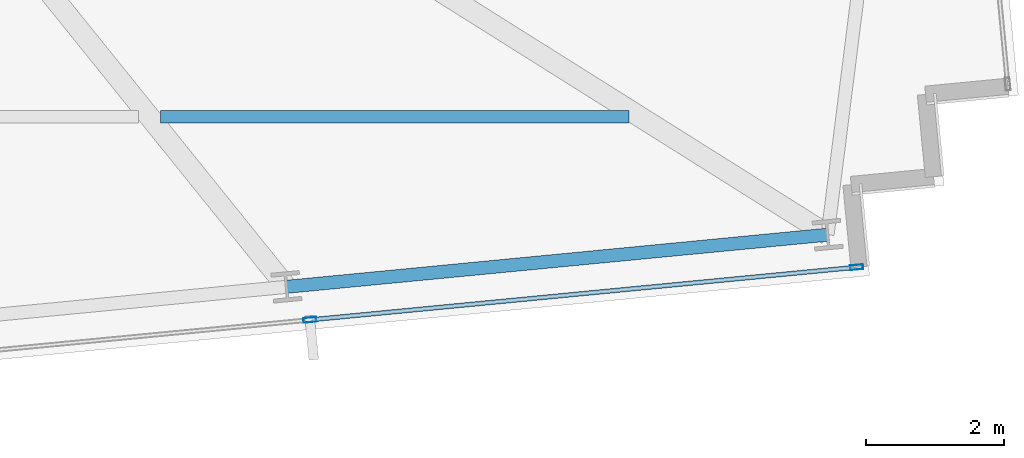
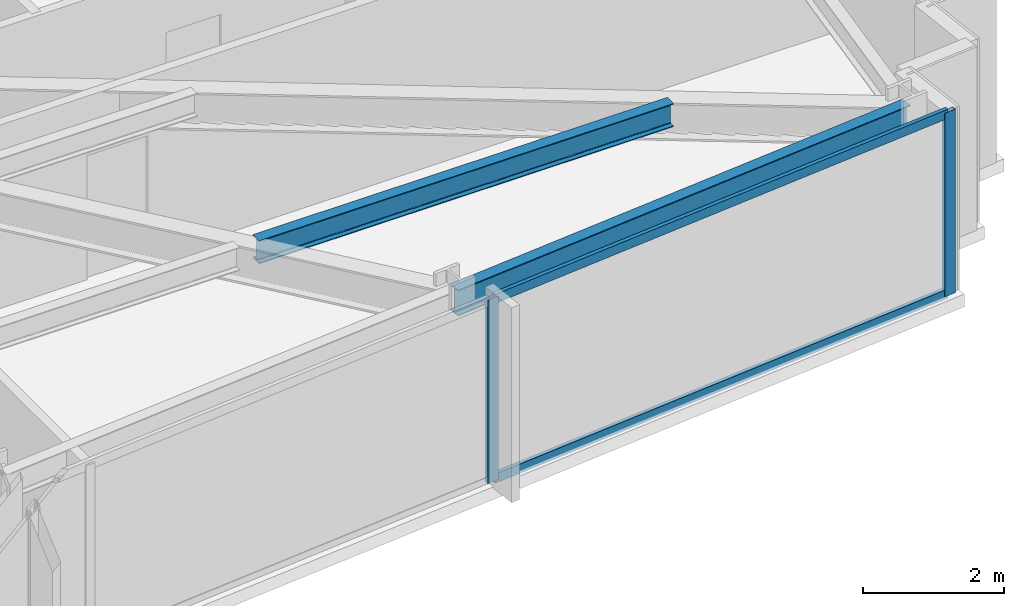
# One storey, part 12 of 33: 4 members, 2 beams, 1 element without a shape of its own.
"""IFC4 building model written with IfcOpenShell, lengths in metres."""

import ifcopenshell
import ifcopenshell.guid

model = None  # the IFC model being written
_history = None  # IfcOwnerHistory: only IFC2X3 demands one
_inside = {}  # id of a spatial element -> (the spatial element, [elements in it])
_under = {}  # id of a project, library or spatial element -> (it, [spatial elements below it])
_declared = {}  # id of a project -> (the project, [libraries it declares])
_typed = {}  # id of a type object -> (the type object, [elements of that type])
_made_of = {}  # id of a material, layer set ... -> (it, [elements and type objects made of it])


def new_model(schema):
    """Start an empty IFC model of exactly this schema.

    Asked for "IFC4X3", IfcOpenShell would pick the latest addendum, in which some entities
    have other attributes; the version numbers below select the first issue.
    IFC2X3 requires an IfcOwnerHistory on every rooted entity: one is made here for all.
    """
    global model, _history
    if schema == "IFC4X3":
        model = ifcopenshell.file(schema_version=(4, 3, 0, 0))
    else:
        model = ifcopenshell.file(schema=schema)
    _inside.clear()
    _under.clear()
    _declared.clear()
    _typed.clear()
    _made_of.clear()
    _history = None
    if model.schema == "IFC2X3":
        org = make("IfcOrganization", Name="unknown")
        user = make(
            "IfcPersonAndOrganization",
            ThePerson=make("IfcPerson", FamilyName="unknown"),
            TheOrganization=org,
        )
        app = make(
            "IfcApplication",
            ApplicationDeveloper=org,
            Version="unknown",
            ApplicationFullName="unknown",
            ApplicationIdentifier="unknown",
        )
        _history = make(
            "IfcOwnerHistory",
            OwningUser=user,
            OwningApplication=app,
            ChangeAction="ADDED",
            CreationDate=0,
        )
    return model


def make(cls, **values):
    """One entity of the class cls with the attributes given. An attribute that is None is left unset."""
    return model.create_entity(
        cls, **{name: value for name, value in values.items() if value is not None}
    )


def rooted(cls, **values):
    """An entity with a GlobalId (a new one), such as an element, a storey or a relation."""
    return make(cls, GlobalId=ifcopenshell.guid.new(), OwnerHistory=_history, **values)


def si_unit(unit_type, name, prefix=None):
    """IfcSIUnit, for example si_unit("LENGTHUNIT", "METRE", prefix="MILLI")."""
    return make("IfcSIUnit", UnitType=unit_type, Prefix=prefix, Name=name)


def assignment(units):
    """IfcUnitAssignment: the units of a project."""
    return None if units is None else make("IfcUnitAssignment", Units=units)


def point(xyz):
    """IfcCartesianPoint."""
    return None if xyz is None else make("IfcCartesianPoint", Coordinates=xyz)


def direction(xyz):
    """IfcDirection."""
    return None if xyz is None else make("IfcDirection", DirectionRatios=xyz)


def frame(location, z_axis=None, x_axis=None):
    """IfcAxis2Placement3D, a coordinate frame: its origin and axes. An axis left out is left unset."""
    return make(
        "IfcAxis2Placement3D",
        Location=point(location),
        Axis=direction(z_axis),
        RefDirection=direction(x_axis),
    )


def frame_2d(location, x_axis=None):
    """IfcAxis2Placement2D, a coordinate frame in the plane: its origin and x axis."""
    return make(
        "IfcAxis2Placement2D", Location=point(location), RefDirection=direction(x_axis)
    )


def origin():
    """The frame at (0, 0, 0) with its axes left unset."""
    return frame((0.0, 0.0, 0.0))


def origin_2d():
    """The frame at (0, 0) in the plane with its x axis left unset."""
    return frame_2d((0.0, 0.0))


def place(relative_to, where):
    """IfcLocalPlacement: puts the frame where relative to a parent placement (None: the world)."""
    return make(
        "IfcLocalPlacement", PlacementRelTo=relative_to, RelativePlacement=where
    )


def context(
    kind, dimensions, precision=None, world=None, true_north=None, identifier=None
):
    """IfcGeometricRepresentationContext, for example the 3D "Model" context."""
    return make(
        "IfcGeometricRepresentationContext",
        ContextIdentifier=identifier,
        ContextType=kind,
        CoordinateSpaceDimension=dimensions,
        Precision=precision,
        WorldCoordinateSystem=world,
        TrueNorth=true_north,
    )


def subcontext(parent, identifier, kind, view, scale=None):
    """IfcGeometricRepresentationSubContext, for example "Body" below "Model"."""
    return make(
        "IfcGeometricRepresentationSubContext",
        ContextIdentifier=identifier,
        ContextType=kind,
        ParentContext=parent,
        TargetScale=scale,
        TargetView=view,
    )


def project(units=None, contexts=None):
    """IfcProject with its units and contexts."""
    return rooted(
        "IfcProject",
        Name="project",
        RepresentationContexts=contexts,
        UnitsInContext=assignment(units),
    )


def spatial(cls, under=None, at=None, **own):
    """A site, building, storey or space (cls), placed at a placement, below another one or the project."""
    s = rooted(cls, ObjectPlacement=at, **own)
    if under is not None:
        _under.setdefault(under.id(), (under, []))[1].append(s)
    return s


def profile(cls, at=None, kind="AREA", **sizes):
    """A parametric profile (cls). Its sizes go by their IFC names, for example OverallWidth=200.0."""
    return make(cls, ProfileType=kind, Position=at, **sizes)


def hollow_rectangle(**sizes):
    """IfcRectangleHollowProfileDef."""
    return profile("IfcRectangleHollowProfileDef", **sizes)


def i_section(**sizes):
    """IfcIShapeProfileDef."""
    return profile("IfcIShapeProfileDef", **sizes)


def extrude(swept, where, along, depth):
    """IfcExtrudedAreaSolid: the profile swept, set in the frame where, extruded along a direction by depth."""
    return make(
        "IfcExtrudedAreaSolid",
        SweptArea=swept,
        Position=where,
        ExtrudedDirection=direction(along),
        Depth=depth,
    )


def shape(context_of_items, identifier, shape_type, items):
    """IfcShapeRepresentation: the items that make up one representation, for example the "Body"."""
    return make(
        "IfcShapeRepresentation",
        ContextOfItems=context_of_items,
        RepresentationIdentifier=identifier,
        RepresentationType=shape_type,
        Items=items,
    )


def material(Name=None, Category=None):
    """IfcMaterial."""
    return make("IfcMaterial", Name=Name, Category=Category)


def material_profile(
    of_material, cross_section, Name=None, Category=None, Priority=None
):
    """IfcMaterialProfile: a cross section and its material."""
    return make(
        "IfcMaterialProfile",
        Name=Name,
        Material=of_material,
        Profile=cross_section,
        Priority=Priority,
        Category=Category,
    )


def profile_set(profiles, Name=None, composite=None):
    """IfcMaterialProfileSet."""
    return make(
        "IfcMaterialProfileSet",
        Name=Name,
        MaterialProfiles=profiles,
        CompositeProfile=composite,
    )


def made_of(thing, what):
    """Note that an element or type object is made of a material, layer set ...; save() writes the relation."""
    if what is not None:
        _made_of.setdefault(what.id(), (what, []))[1].append(thing)
    return thing


def type_object(cls, material=None, **own):
    """A type object (cls), such as IfcWallType, which elements share."""
    return made_of(rooted(cls, **own), material)


def element(
    cls,
    number,
    at=None,
    inside=None,
    cuts=None,
    type_object=None,
    material=None,
    context=None,
    identifier="Body",
    shape_type=None,
    held_by="IfcProductDefinitionShape",
    body=None,
    shapes=None,
    **own,
):
    """One element of the class cls, such as IfcWall. Its Tag is "e" and its number.

    at: its placement. inside: the storey or other place that contains it. cuts: it is an
    opening in that element (IfcRelVoidsElement). A single representation is given by context,
    identifier, shape_type and body (its items); several are given by shapes. held_by: the class
    of the entity that holds the representations. save() writes the other relations.
    """
    e = rooted(cls, Tag="e%d" % number, ObjectPlacement=at, **own)
    if body is not None:
        shapes = [shape(context, identifier, shape_type, body)]
    if shapes is not None:
        e.Representation = make(held_by, Representations=shapes)
    if inside is not None:
        _inside.setdefault(inside.id(), (inside, []))[1].append(e)
    if cuts is not None:
        rooted(
            "IfcRelVoidsElement", RelatingBuildingElement=cuts, RelatedOpeningElement=e
        )
    if type_object is not None:
        _typed.setdefault(type_object.id(), (type_object, []))[1].append(e)
    return made_of(e, material)


def aggregate(whole, parts):
    """IfcRelAggregates: a whole, such as a stair, and the parts it consists of."""
    return rooted("IfcRelAggregates", RelatingObject=whole, RelatedObjects=parts)


def save(model, path):
    """Write the relations noted so far, then the file.

    IfcRelAggregates (storeys below a building ...), IfcRelContainedInSpatialStructure (elements
    in a storey), IfcRelDefinesByType, IfcRelAssociatesMaterial and IfcRelDeclares: one each for
    every whole, place, type object, material and project.
    """
    for whole, parts in _under.values():
        aggregate(whole, parts)
    for where, things in _inside.values():
        rooted(
            "IfcRelContainedInSpatialStructure",
            RelatedElements=things,
            RelatingStructure=where,
        )
    for kind, things in _typed.values():
        rooted("IfcRelDefinesByType", RelatedObjects=things, RelatingType=kind)
    for what, things in _made_of.values():
        rooted("IfcRelAssociatesMaterial", RelatedObjects=things, RelatingMaterial=what)
    for by, libraries in _declared.values():
        rooted("IfcRelDeclares", RelatingContext=by, RelatedDefinitions=libraries)
    model.write(path)


model = new_model("IFC4")

# Units and contexts
model_context = context("Model", 3, precision=1e-05, world=origin(), true_north=direction((0.0, 1.0)))
body_context = subcontext(model_context, "Body", "Model", "MODEL_VIEW")
ifc_project = project(units=[si_unit("LENGTHUNIT", "METRE"), si_unit("AREAUNIT", "SQUARE_METRE"), si_unit("VOLUMEUNIT", "CUBIC_METRE"), si_unit("PLANEANGLEUNIT", "RADIAN"), si_unit("MASSUNIT", "GRAM", prefix="KILO")], contexts=[model_context])

# Site, building, storey
site_placement = place(None, origin())
site = spatial("IfcSite", under=ifc_project, at=site_placement, CompositionType="ELEMENT")
building_placement = place(site_placement, origin())
building = spatial("IfcBuilding", under=site, at=building_placement, Name="Yelkora Congress Tower", CompositionType="ELEMENT")
storey_placement = place(building_placement, frame((0.0, 0.0, 123.699951171875)))
storey = spatial("IfcBuildingStorey", under=building, at=storey_placement, Name="L33", CompositionType="ELEMENT", Elevation=123.699951171875)

# Beams
ifc_material_1 = material(Name="Steel S355J2", Category="steel")
ifc_material_profile_1 = material_profile(ifc_material_1, i_section(OverallWidth=0.179931640625, OverallDepth=0.39990234375, WebThickness=0.008544921875, FlangeThickness=0.013427734375, FilletRadius=0.02099609375, at=origin_2d()), Name="IPE 400")
ifc_profile_set_1 = profile_set([ifc_material_profile_1], Name="Steel S355J2")
beam_type_1 = type_object("IfcBeamType", Name="BM-JOIST-IPE400", PredefinedType="JOIST", material=ifc_profile_set_1)
beam_1_placement = place(storey_placement, frame((65.056396484375, 16.144287109375, 2.97998046875), z_axis=(1.0, 0.0, 0.0), x_axis=(0.0, 1.0, 0.0)))
element("IfcBeam", 1, at=beam_1_placement, inside=storey, type_object=beam_type_1, Name="L33 Composite Floor Joist 10", PredefinedType="JOIST", context=body_context, shape_type="SweptSolid", body=[
    extrude(i_section(OverallWidth=0.179931640625, OverallDepth=0.39990234375, WebThickness=0.008544921875, FlangeThickness=0.013427734375, FilletRadius=0.02099609375, at=origin_2d()), origin(), (0.0, 0.0, 1.0), 6.795166015625),
])
ifc_material_profile_2 = material_profile(ifc_material_1, i_section(OverallWidth=0.18994140625, OverallDepth=0.449951171875, WebThickness=0.009521484375, FlangeThickness=0.0146484375, FilletRadius=0.02099609375, at=origin_2d()), Name="IPE 450")
ifc_profile_set_2 = profile_set([ifc_material_profile_2], Name="Steel S355J2")
beam_type_2 = type_object("IfcBeamType", Name="BM-SPAN-IPE450", PredefinedType="SPANDREL", material=ifc_profile_set_2)
beam_2_placement = place(storey_placement, frame((66.882568359375, 13.67919921875, 2.955078125), z_axis=(0.995395575667, 0.095852219286, 0.0), x_axis=(-0.095852219286, 0.995395575667, 0.0)))
element("IfcBeam", 2, at=beam_2_placement, inside=storey, type_object=beam_type_2, Name="L33 Perimeter Beam 9", PredefinedType="SPANDREL", context=body_context, shape_type="SweptSolid", body=[
    extrude(i_section(OverallWidth=0.18994140625, OverallDepth=0.449951171875, WebThickness=0.009521484375, FlangeThickness=0.0146484375, FilletRadius=0.02099609375, at=origin_2d()), origin(), (0.0, 0.0, 1.0), 7.8857421875),
])

# Curtain wall, members
ifc_material_2 = material(Name="Anodised aluminium and insulated glass", Category="aluminium")
curtain_wall_type = type_object("IfcCurtainWallType", Name="CW-SYS-B2", PredefinedType="NOTDEFINED", material=ifc_material_2)
curtain_wall_placement = place(storey_placement, origin())
curtain_wall = element("IfcCurtainWall", 3, at=curtain_wall_placement, inside=storey, type_object=curtain_wall_type, Name="L33 Unitised Curtain Wall 20", PredefinedType="NOTDEFINED")
ifc_material_3 = material(Name="Anodised aluminium 6063-T6", Category="aluminium")
ifc_material_profile_3 = material_profile(ifc_material_3, hollow_rectangle(XDim=0.070068359375, YDim=0.18994140625, WallThickness=0.00390625, at=origin_2d()), Name="ALU 70x190x4")
ifc_profile_set_3 = profile_set([ifc_material_profile_3], Name="Anodised aluminium 6063-T6")
member_type_1 = type_object("IfcMemberType", Name="MEM-ML-B2", PredefinedType="MULLION", material=ifc_profile_set_3)
member_1_placement = place(storey_placement, frame((75.154052734375, 13.96337890625, 0.0), z_axis=(0.0, 0.0, 1.0), x_axis=(0.095844345816, -0.995396333816, 0.0)))
member_1 = element("IfcMember", 4, at=member_1_placement, type_object=member_type_1, Name="CW-B2 mullion 1", PredefinedType="MULLION", context=body_context, shape_type="SweptSolid", body=[
    extrude(hollow_rectangle(XDim=0.070068359375, YDim=0.18994140625, WallThickness=0.00390625, at=origin_2d()), origin(), (0.0, 0.0, 1.0), 3.179931640625),
])
member_2_placement = place(storey_placement, frame((67.222900390625, 13.19970703125, 0.0), z_axis=(0.0, 0.0, 1.0), x_axis=(0.095844345816, -0.995396333816, 0.0)))
member_2 = element("IfcMember", 5, at=member_2_placement, type_object=member_type_1, Name="CW-B2 mullion 2", PredefinedType="MULLION", context=body_context, shape_type="SweptSolid", body=[
    extrude(hollow_rectangle(XDim=0.070068359375, YDim=0.18994140625, WallThickness=0.00390625, at=origin_2d()), origin(), (0.0, 0.0, 1.0), 3.179931640625),
])
ifc_material_profile_4 = material_profile(ifc_material_3, hollow_rectangle(XDim=0.06494140625, YDim=0.159912109375, WallThickness=0.00390625, at=origin_2d()), Name="ALU 65x160x4")
ifc_profile_set_4 = profile_set([ifc_material_profile_4], Name="Anodised aluminium 6063-T6")
member_type_2 = type_object("IfcMemberType", Name="MEM-TR-B2", PredefinedType="USERDEFINED", material=ifc_profile_set_4)
member_3_placement = place(storey_placement, frame((75.119140625, 13.9599609375, 0.032470703125), z_axis=(-0.995397978421, -0.095827264157, 0.0), x_axis=(0.095827264157, -0.995397978421, 0.0)))
member_3 = element("IfcMember", 6, at=member_3_placement, type_object=member_type_2, Name="CW-B2 transom 1.1", ObjectType="TRANSOM", PredefinedType="USERDEFINED", context=body_context, shape_type="SweptSolid", body=[
    extrude(hollow_rectangle(XDim=0.06494140625, YDim=0.159912109375, WallThickness=0.00390625, at=origin_2d()), origin(), (0.0, 0.0, 1.0), 7.89794921875),
])
member_4_placement = place(storey_placement, frame((75.119140625, 13.9599609375, 3.1474609375), z_axis=(-0.995397978421, -0.095827264157, 0.0), x_axis=(0.095827264157, -0.995397978421, 0.0)))
member_4 = element("IfcMember", 7, at=member_4_placement, type_object=member_type_2, Name="CW-B2 transom 1.2", ObjectType="TRANSOM", PredefinedType="USERDEFINED", context=body_context, shape_type="SweptSolid", body=[
    extrude(hollow_rectangle(XDim=0.06494140625, YDim=0.159912109375, WallThickness=0.00390625, at=origin_2d()), origin(), (0.0, 0.0, 1.0), 7.89794921875),
])
aggregate(curtain_wall, [member_1, member_2, member_3, member_4])

save(model, "model.ifc")
